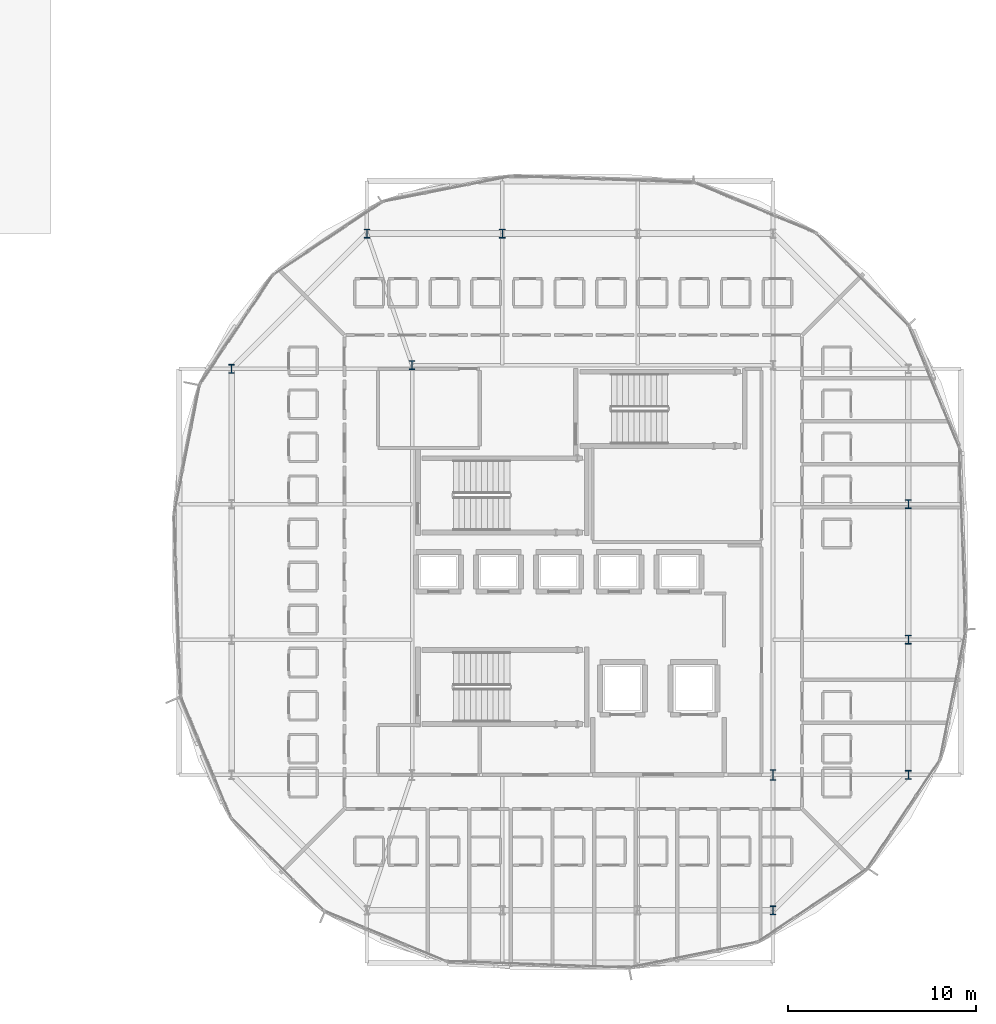
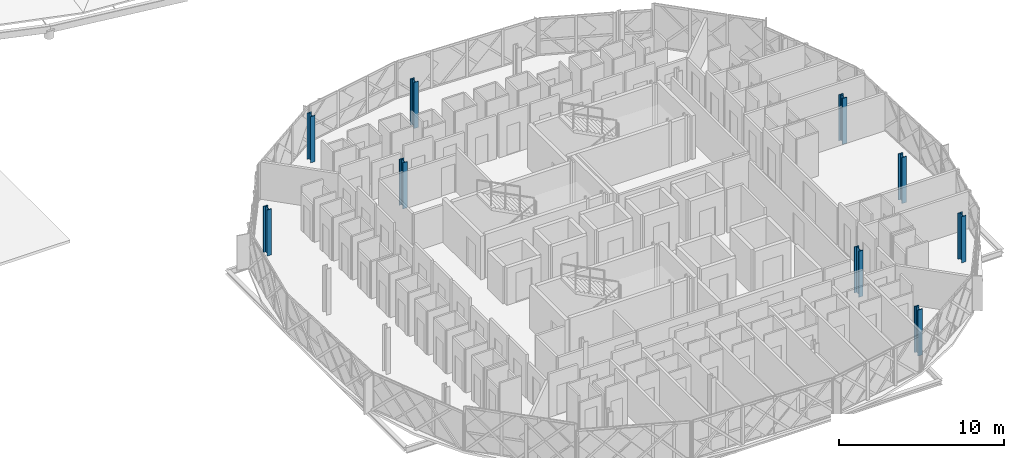
# One storey, part 3 of 40: 9 columns.
"""IFC4 building model written with IfcOpenShell, lengths in metres."""

from ifc_helpers import new_model, si_unit, direction, frame, origin, origin_2d, place, context, subcontext, project, spatial, i_section, extrude, material, material_profile, profile_set, type_object, element, save


model = new_model("IFC4")

# Units and contexts
model_context = context("Model", 3, precision=1e-05, world=origin(), true_north=direction((0.0, 1.0)))
body_context = subcontext(model_context, "Body", "Model", "MODEL_VIEW")
ifc_project = project(units=[si_unit("LENGTHUNIT", "METRE"), si_unit("AREAUNIT", "SQUARE_METRE"), si_unit("VOLUMEUNIT", "CUBIC_METRE"), si_unit("PLANEANGLEUNIT", "RADIAN"), si_unit("MASSUNIT", "GRAM", prefix="KILO")], contexts=[model_context])

# Site, building, storey
site_placement = place(None, origin())
site = spatial("IfcSite", under=ifc_project, at=site_placement, CompositionType="ELEMENT")
building_placement = place(site_placement, origin())
building = spatial("IfcBuilding", under=site, at=building_placement, Name="Zevrakil Square Congress Hotel", CompositionType="ELEMENT")
storey_placement = place(building_placement, frame((0.0, 0.0, 18.10009765625)))
storey = spatial("IfcBuildingStorey", under=building, at=storey_placement, Name="L05", CompositionType="ELEMENT", Elevation=18.10009765625)

# Columns
ifc_material_1 = material(Name="Steel S355", Category="steel")
ifc_material_profile_1 = material_profile(ifc_material_1, i_section(OverallWidth=0.306884765625, OverallDepth=0.47802734375, WebThickness=0.02099609375, FlangeThickness=0.0400390625, FilletRadius=0.027099609375, at=origin_2d()), Name="HEM 450")
ifc_profile_set_1 = profile_set([ifc_material_profile_1], Name="Steel S355")
column_type_1 = type_object("IfcColumnType", Name="COL-HEM450", PredefinedType="COLUMN", material=ifc_profile_set_1)
for number, where, z_axis, x_axis, name in (
    (1, (136.800048828125, 38.60009765625, 0.0), (0.0, 0.0, 1.0), (1.0, 0.0, 0.0), "L05 drum core collar column CC01"),
    (2, (156.0, 9.60009765625, 0.0), (0.0, 0.0, 1.0), (1.0, 0.0, 0.0), "L05 drum column DC04"),
    (3, (163.199951171875, 16.800048828125, 0.0), (0.0, 0.0, 1.0), (1.0, 0.0, 0.0), "L05 drum column DC05"),
    (4, (163.199951171875, 24.0, 0.0), (0.0, 0.0, 1.0), (1.0, 0.0, 0.0), "L05 drum column DC06"),
    (5, (163.199951171875, 31.199951171875, 0.0), (0.0, 0.0, 1.0), (1.0, 0.0, 0.0), "L05 drum column DC07"),
    (6, (141.60009765625, 45.60009765625, 0.0), (0.0, 0.0, 1.0), (1.0, 0.0, 0.0), "L05 drum column DC11"),
    (7, (134.39990234375, 45.60009765625, 0.0), (0.0, 0.0, 1.0), (1.0, 0.0, 0.0), "L05 drum column DC12"),
    (8, (127.199951171875, 38.39990234375, 0.0), (0.0, 0.0, 1.0), (1.0, 0.0, 0.0), "L05 drum column DC13"),
):
    element("IfcColumn", number, at=place(storey_placement, frame(where, z_axis=z_axis, x_axis=x_axis)), inside=storey, type_object=column_type_1, Name=name, PredefinedType="COLUMN", context=body_context, shape_type="SweptSolid", body=[
        extrude(i_section(OverallWidth=0.306884765625, OverallDepth=0.47802734375, WebThickness=0.02099609375, FlangeThickness=0.0400390625, FilletRadius=0.027099609375, at=origin_2d()), origin(), (0.0, 0.0, 1.0), 3.39990234375),
    ])
ifc_material_2 = material(Name="Steel S355", Category="steel")
ifc_material_profile_2 = material_profile(ifc_material_2, i_section(OverallWidth=0.305908203125, OverallDepth=0.572021484375, WebThickness=0.02099609375, FlangeThickness=0.0400390625, FilletRadius=0.027099609375, at=origin_2d()), Name="HEM 550")
ifc_profile_set_2 = profile_set([ifc_material_profile_2], Name="Steel S355")
column_type_2 = type_object("IfcColumnType", Name="COL-HEM550", PredefinedType="COLUMN", material=ifc_profile_set_2)
column_placement = place(storey_placement, frame((156.0, 16.800048828125, 0.0), z_axis=(0.0, 0.0, 1.0), x_axis=(1.0, 0.0, 0.0)))
element("IfcColumn", 9, at=column_placement, inside=storey, type_object=column_type_2, Name="L05 column C-222", PredefinedType="COLUMN", context=body_context, shape_type="SweptSolid", body=[
    extrude(i_section(OverallWidth=0.305908203125, OverallDepth=0.572021484375, WebThickness=0.02099609375, FlangeThickness=0.0400390625, FilletRadius=0.027099609375, at=origin_2d()), origin(), (0.0, 0.0, 1.0), 3.39990234375),
])

save(model, "model.ifc")
